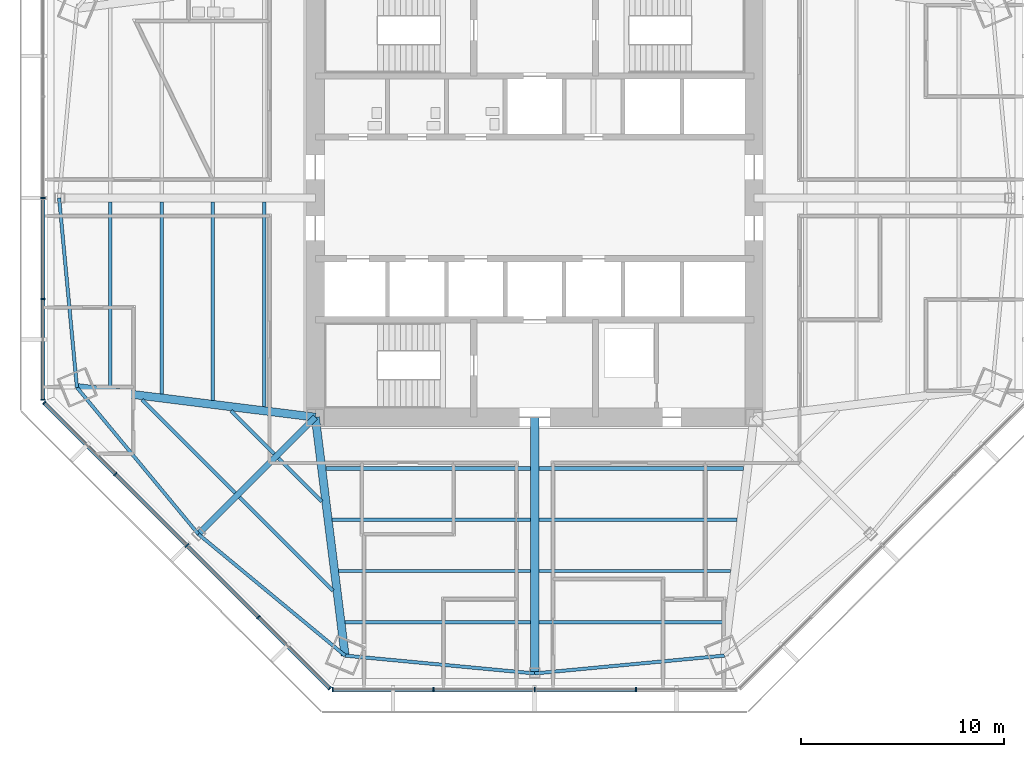
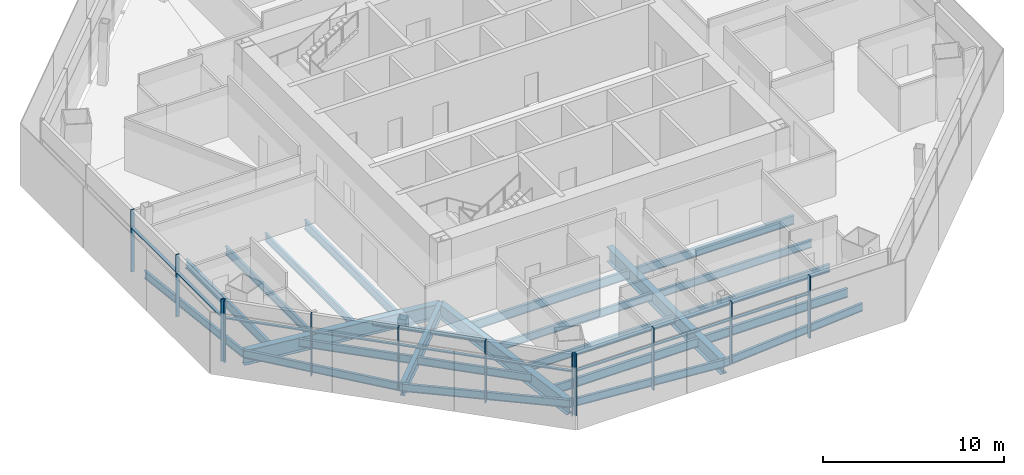
# One storey, part 2 of 14: 25 beams, 21 members, 3 elements without a shape of their own.
"""IFC4 building model written with IfcOpenShell, lengths in metres."""

from ifc_helpers import new_model, si_unit, direction, frame, origin, origin_2d, place, context, subcontext, project, spatial, rectangle, i_section, extrude, source, transform, mapped, material, material_profile, profile_set, type_object, type_shapes, element, aggregate, save


model = new_model("IFC4")

# Units and contexts
model_context = context("Model", 3, precision=1e-05, world=origin(), true_north=direction((0.0, 1.0)))
body_context = subcontext(model_context, "Body", "Model", "MODEL_VIEW")
ifc_project = project(units=[si_unit("LENGTHUNIT", "METRE"), si_unit("AREAUNIT", "SQUARE_METRE"), si_unit("VOLUMEUNIT", "CUBIC_METRE"), si_unit("PLANEANGLEUNIT", "RADIAN"), si_unit("MASSUNIT", "GRAM", prefix="KILO")], contexts=[model_context])

# Site, building, storey
site_placement = place(None, origin())
site = spatial("IfcSite", under=ifc_project, at=site_placement, CompositionType="ELEMENT")
building_placement = place(site_placement, origin())
building = spatial("IfcBuilding", under=site, at=building_placement, Name="Mashrafa Tower", CompositionType="ELEMENT")
storey_placement = place(building_placement, frame((0.0, 0.0, 134.39990234375)))
storey = spatial("IfcBuildingStorey", under=building, at=storey_placement, Name="L30", CompositionType="ELEMENT", Elevation=134.39990234375)

# Beams
ifc_material_1 = material(Name="Steel ASTM A992", Category="steel")
ifc_material_profile_1 = material_profile(ifc_material_1, i_section(OverallWidth=0.164794921875, OverallDepth=0.309814453125, WebThickness=0.005859375, FlangeThickness=0.009765625, FilletRadius=0.007568359375, at=origin_2d()), Name="W12X26")
ifc_profile_set_1 = profile_set([ifc_material_profile_1], Name="Steel ASTM A992")
beam_type_1 = type_object("IfcBeamType", Name="Beam W12X26", PredefinedType="BEAM", material=ifc_profile_set_1)
for number, where, z_axis, x_axis, name in (
    (1, (-12.82275390625, -12.6162109375, -0.31982421875), (-0.707106781187, 0.707106781187, 0.0), (-0.707106781187, -0.707106781187, 0.0), "Floor beam L30 013"),
    (2, (-10.48388671875, -14.955078125, -0.31982421875), (-0.707106781187, 0.707106781187, 0.0), (-0.707106781187, -0.707106781187, 0.0), "Floor beam L30 016"),
):
    element("IfcBeam", number, at=place(storey_placement, frame(where, z_axis=z_axis, x_axis=x_axis)), inside=storey, type_object=beam_type_1, Name=name, PredefinedType="BEAM", context=body_context, shape_type="SweptSolid", body=[
        extrude(i_section(OverallWidth=0.164794921875, OverallDepth=0.309814453125, WebThickness=0.005859375, FlangeThickness=0.009765625, FilletRadius=0.007568359375, at=origin_2d()), origin(), (0.0, 0.0, 1.0), 3.015625),
    ])
ifc_material_2 = material(Name="Steel ASTM A992", Category="steel")
ifc_material_profile_2 = material_profile(ifc_material_2, i_section(OverallWidth=0.1650390625, OverallDepth=0.52587890625, WebThickness=0.0087890625, FlangeThickness=0.011474609375, FilletRadius=0.0126953125, at=origin_2d()), Name="W21X44")
ifc_profile_set_2 = profile_set([ifc_material_profile_2], Name="Steel ASTM A992")
beam_type_2 = type_object("IfcBeamType", Name="Beam W21X44", PredefinedType="BEAM", material=ifc_profile_set_2)
beam_1_placement = place(storey_placement, frame((-18.370361328125, -9.65380859375, -0.427734375), z_axis=(0.0, 1.0, 0.0), x_axis=(-1.0, 0.0, 0.0)))
element("IfcBeam", 3, at=beam_1_placement, inside=storey, type_object=beam_type_2, Name="Floor beam L30 004", PredefinedType="BEAM", context=body_context, shape_type="SweptSolid", body=[
    extrude(i_section(OverallWidth=0.1650390625, OverallDepth=0.52587890625, WebThickness=0.0087890625, FlangeThickness=0.011474609375, FilletRadius=0.0126953125, at=origin_2d()), origin(), (0.0, 0.0, 1.0), 9.453125),
])
beam_2_placement = place(storey_placement, frame((-15.846923828125, -9.968505859375, -0.427734375), z_axis=(0.0, 1.0, 0.0), x_axis=(-1.0, 0.0, 0.0)))
element("IfcBeam", 4, at=beam_2_placement, inside=storey, type_object=beam_type_2, Name="Floor beam L30 006", PredefinedType="BEAM", context=body_context, shape_type="SweptSolid", body=[
    extrude(i_section(OverallWidth=0.1650390625, OverallDepth=0.52587890625, WebThickness=0.0087890625, FlangeThickness=0.011474609375, FilletRadius=0.0126953125, at=origin_2d()), origin(), (0.0, 0.0, 1.0), 9.767822265625),
])
for number, where, z_axis, x_axis, name in (
    (5, (-14.742431640625, -14.535888671875, -0.427734375), (-0.707088011347, 0.707125550528, 0.0), (-0.707125550528, -0.707088011347, 0.0), "Floor beam L30 009"),
    (6, (-9.93701171875, -19.341064453125, -0.427734375), (-0.707125550528, 0.707088011347, 0.0), (-0.707088011347, -0.707125550528, 0.0), "Floor beam L30 019"),
):
    element("IfcBeam", number, at=place(storey_placement, frame(where, z_axis=z_axis, x_axis=x_axis)), inside=storey, type_object=beam_type_2, Name=name, PredefinedType="BEAM", context=body_context, shape_type="SweptSolid", body=[
        extrude(i_section(OverallWidth=0.1650390625, OverallDepth=0.52587890625, WebThickness=0.0087890625, FlangeThickness=0.011474609375, FilletRadius=0.0126953125, at=origin_2d()), origin(), (0.0, 0.0, 1.0), 6.503662109375),
    ])
beam_3_placement = place(storey_placement, frame((-0.20068359375, -18.370361328125, -0.427734375), z_axis=(-1.0, 0.0, 0.0), x_axis=(0.0, -1.0, 0.0)))
element("IfcBeam", 7, at=beam_3_placement, inside=storey, type_object=beam_type_2, Name="Floor beam L30 022", PredefinedType="BEAM", context=body_context, shape_type="SweptSolid", body=[
    extrude(i_section(OverallWidth=0.1650390625, OverallDepth=0.52587890625, WebThickness=0.0087890625, FlangeThickness=0.011474609375, FilletRadius=0.0126953125, at=origin_2d()), origin(), (0.0, 0.0, 1.0), 9.453125),
])
beam_4_placement = place(storey_placement, frame((-0.20068359375, -15.846923828125, -0.427734375), z_axis=(-1.0, 0.0, 0.0), x_axis=(0.0, -1.0, 0.0)))
element("IfcBeam", 8, at=beam_4_placement, inside=storey, type_object=beam_type_2, Name="Floor beam L30 023", PredefinedType="BEAM", context=body_context, shape_type="SweptSolid", body=[
    extrude(i_section(OverallWidth=0.1650390625, OverallDepth=0.52587890625, WebThickness=0.0087890625, FlangeThickness=0.011474609375, FilletRadius=0.0126953125, at=origin_2d()), origin(), (0.0, 0.0, 1.0), 9.767822265625),
])
beam_5_placement = place(storey_placement, frame((9.65380859375, -18.370361328125, -0.427734375), z_axis=(-1.0, 0.0, 0.0), x_axis=(0.0, -1.0, 0.0)))
element("IfcBeam", 9, at=beam_5_placement, inside=storey, type_object=beam_type_2, Name="Floor beam L30 031", PredefinedType="BEAM", context=body_context, shape_type="SweptSolid", body=[
    extrude(i_section(OverallWidth=0.1650390625, OverallDepth=0.52587890625, WebThickness=0.0087890625, FlangeThickness=0.011474609375, FilletRadius=0.0126953125, at=origin_2d()), origin(), (0.0, 0.0, 1.0), 9.453125),
])
beam_6_placement = place(storey_placement, frame((9.968505859375, -15.846923828125, -0.427734375), z_axis=(-1.0, 0.0, 0.0), x_axis=(0.0, -1.0, 0.0)))
element("IfcBeam", 10, at=beam_6_placement, inside=storey, type_object=beam_type_2, Name="Floor beam L30 032", PredefinedType="BEAM", context=body_context, shape_type="SweptSolid", body=[
    extrude(i_section(OverallWidth=0.1650390625, OverallDepth=0.52587890625, WebThickness=0.0087890625, FlangeThickness=0.011474609375, FilletRadius=0.0126953125, at=origin_2d()), origin(), (0.0, 0.0, 1.0), 9.767822265625),
])
beam_7_placement = place(storey_placement, frame((-23.41748046875, 0.0, -0.427734375), z_axis=(0.093650410541, -0.995605142918, 0.0), x_axis=(0.995605142918, 0.093650410541, 0.0)))
element("IfcBeam", 11, at=beam_7_placement, inside=storey, type_object=beam_type_2, Name="Spandrel beam L30 065", PredefinedType="BEAM", context=body_context, shape_type="SweptSolid", body=[
    extrude(i_section(OverallWidth=0.1650390625, OverallDepth=0.52587890625, WebThickness=0.0087890625, FlangeThickness=0.011474609375, FilletRadius=0.0126953125, at=origin_2d()), origin(), (0.0, 0.0, 1.0), 9.377197265625),
])
for number, where, z_axis, x_axis, name in (
    (12, (-22.539306640625, -9.3359375, -0.427734375), (0.637779222021, -0.770219231101, 0.0), (0.770219231101, 0.637779222021, 0.0), "Spandrel beam L30 066"),
    (13, (-16.55859375, -16.55859375, -0.427734375), (0.770219231101, -0.637779222021, 0.0), (0.637779222021, 0.770219231101, 0.0), "Spandrel beam L30 068"),
):
    element("IfcBeam", number, at=place(storey_placement, frame(where, z_axis=z_axis, x_axis=x_axis)), inside=storey, type_object=beam_type_2, Name=name, PredefinedType="BEAM", context=body_context, shape_type="SweptSolid", body=[
        extrude(i_section(OverallWidth=0.1650390625, OverallDepth=0.52587890625, WebThickness=0.0087890625, FlangeThickness=0.011474609375, FilletRadius=0.0126953125, at=origin_2d()), origin(), (0.0, 0.0, 1.0), 9.37744140625),
    ])
for number, where, z_axis, x_axis, name in (
    (14, (-9.3359375, -22.539306640625, -0.427734375), (0.995605142918, -0.093650410541, 0.0), (0.093650410541, 0.995605142918, 0.0), "Spandrel beam L30 070"),
    (15, (0.0, -23.41748046875, -0.427734375), (0.995605142918, 0.093650410541, 0.0), (-0.093650410541, 0.995605142918, 0.0), "Spandrel beam L30 072"),
):
    element("IfcBeam", number, at=place(storey_placement, frame(where, z_axis=z_axis, x_axis=x_axis)), inside=storey, type_object=beam_type_2, Name=name, PredefinedType="BEAM", context=body_context, shape_type="SweptSolid", body=[
        extrude(i_section(OverallWidth=0.1650390625, OverallDepth=0.52587890625, WebThickness=0.0087890625, FlangeThickness=0.011474609375, FilletRadius=0.0126953125, at=origin_2d()), origin(), (0.0, 0.0, 1.0), 9.377197265625),
    ])
ifc_material_3 = material(Name="Steel ASTM A992", Category="steel")
ifc_material_profile_3 = material_profile(ifc_material_3, i_section(OverallWidth=0.177978515625, OverallDepth=0.599365234375, WebThickness=0.010009765625, FlangeThickness=0.012939453125, FilletRadius=0.012939453125, at=origin_2d()), Name="W24X55")
ifc_profile_set_3 = profile_set([ifc_material_profile_3], Name="Steel ASTM A992")
beam_type_3 = type_object("IfcBeamType", Name="Beam W24X55", PredefinedType="BEAM", material=ifc_profile_set_3)
beam_8_placement = place(storey_placement, frame((-20.893798828125, -9.339111328125, -0.464599609375), z_axis=(0.0, 1.0, 0.0), x_axis=(-1.0, 0.0, 0.0)))
element("IfcBeam", 16, at=beam_8_placement, inside=storey, type_object=beam_type_3, Name="Floor beam L30 001", PredefinedType="BEAM", context=body_context, shape_type="SweptSolid", body=[
    extrude(i_section(OverallWidth=0.177978515625, OverallDepth=0.599365234375, WebThickness=0.010009765625, FlangeThickness=0.012939453125, FilletRadius=0.012939453125, at=origin_2d()), origin(), (0.0, 0.0, 1.0), 9.138427734375),
])
beam_9_placement = place(storey_placement, frame((-13.323486328125, -10.283203125, -0.464599609375), z_axis=(0.0, 1.0, 0.0), x_axis=(-1.0, 0.0, 0.0)))
element("IfcBeam", 17, at=beam_9_placement, inside=storey, type_object=beam_type_3, Name="Floor beam L30 011", PredefinedType="BEAM", context=body_context, shape_type="SweptSolid", body=[
    extrude(i_section(OverallWidth=0.177978515625, OverallDepth=0.599365234375, WebThickness=0.010009765625, FlangeThickness=0.012939453125, FilletRadius=0.012939453125, at=origin_2d()), origin(), (0.0, 0.0, 1.0), 10.08251953125),
])
beam_10_placement = place(storey_placement, frame((-0.20068359375, -20.893798828125, -0.464599609375), z_axis=(-1.0, 0.0, 0.0), x_axis=(0.0, -1.0, 0.0)))
element("IfcBeam", 18, at=beam_10_placement, inside=storey, type_object=beam_type_3, Name="Floor beam L30 021", PredefinedType="BEAM", context=body_context, shape_type="SweptSolid", body=[
    extrude(i_section(OverallWidth=0.177978515625, OverallDepth=0.599365234375, WebThickness=0.010009765625, FlangeThickness=0.012939453125, FilletRadius=0.012939453125, at=origin_2d()), origin(), (0.0, 0.0, 1.0), 9.138427734375),
])
beam_11_placement = place(storey_placement, frame((-0.20068359375, -13.323486328125, -0.464599609375), z_axis=(-1.0, 0.0, 0.0), x_axis=(0.0, -1.0, 0.0)))
element("IfcBeam", 19, at=beam_11_placement, inside=storey, type_object=beam_type_3, Name="Floor beam L30 024", PredefinedType="BEAM", context=body_context, shape_type="SweptSolid", body=[
    extrude(i_section(OverallWidth=0.177978515625, OverallDepth=0.599365234375, WebThickness=0.010009765625, FlangeThickness=0.012939453125, FilletRadius=0.012939453125, at=origin_2d()), origin(), (0.0, 0.0, 1.0), 10.08251953125),
])
beam_12_placement = place(storey_placement, frame((9.339111328125, -20.893798828125, -0.464599609375), z_axis=(-1.0, 0.0, 0.0), x_axis=(0.0, -1.0, 0.0)))
element("IfcBeam", 20, at=beam_12_placement, inside=storey, type_object=beam_type_3, Name="Floor beam L30 029", PredefinedType="BEAM", context=body_context, shape_type="SweptSolid", body=[
    extrude(i_section(OverallWidth=0.177978515625, OverallDepth=0.599365234375, WebThickness=0.010009765625, FlangeThickness=0.012939453125, FilletRadius=0.012939453125, at=origin_2d()), origin(), (0.0, 0.0, 1.0), 9.138427734375),
])
beam_13_placement = place(storey_placement, frame((10.283203125, -13.323486328125, -0.464599609375), z_axis=(-1.0, 0.0, 0.0), x_axis=(0.0, -1.0, 0.0)))
element("IfcBeam", 21, at=beam_13_placement, inside=storey, type_object=beam_type_3, Name="Floor beam L30 034", PredefinedType="BEAM", context=body_context, shape_type="SweptSolid", body=[
    extrude(i_section(OverallWidth=0.177978515625, OverallDepth=0.599365234375, WebThickness=0.010009765625, FlangeThickness=0.012939453125, FilletRadius=0.012939453125, at=origin_2d()), origin(), (0.0, 0.0, 1.0), 10.08251953125),
])
ifc_material_4 = material(Name="Steel ASTM A992", Category="steel")
ifc_material_profile_4 = material_profile(ifc_material_4, i_section(OverallWidth=0.2919921875, OverallDepth=0.8408203125, WebThickness=0.0146484375, FlangeThickness=0.021728515625, FilletRadius=0.017333984375, at=origin_2d()), Name="W33X130")
ifc_profile_set_4 = profile_set([ifc_material_profile_4], Name="Steel ASTM A992")
beam_type_4 = type_object("IfcBeamType", Name="Beam W33X130", PredefinedType="BEAM", material=ifc_profile_set_4)
beam_14_placement = place(storey_placement, frame((-10.800048828125, -10.800048828125, -0.585205078125), z_axis=(-0.707106781187, -0.707106781187, 0.0), x_axis=(0.707106781187, -0.707106781187, 0.0)))
element("IfcBeam", 22, at=beam_14_placement, inside=storey, type_object=beam_type_4, Name="Radial girder L30 050", PredefinedType="BEAM", context=body_context, shape_type="SweptSolid", body=[
    extrude(i_section(OverallWidth=0.2919921875, OverallDepth=0.8408203125, WebThickness=0.0146484375, FlangeThickness=0.021728515625, FilletRadius=0.017333984375, at=origin_2d()), origin(), (0.0, 0.0, 1.0), 8.143798828125),
])
ifc_material_5 = material(Name="Steel ASTM A992", Category="steel")
ifc_material_profile_5 = material_profile(ifc_material_5, i_section(OverallWidth=0.4013671875, OverallDepth=0.98291015625, WebThickness=0.0166015625, FlangeThickness=0.027099609375, FilletRadius=0.0126953125, at=origin_2d()), Name="W40X199")
ifc_profile_set_5 = profile_set([ifc_material_profile_5], Name="Steel ASTM A992")
beam_type_5 = type_object("IfcBeamType", Name="Beam W40X199", PredefinedType="BEAM", material=ifc_profile_set_5)
for number, where, z_axis, x_axis, name in (
    (23, (-10.800048828125, -10.800048828125, -0.656494140625), (-0.992312128057, 0.123760415771, 0.0), (-0.123760415771, -0.992312128057, 0.0), "Radial girder L30 049"),
    (24, (-10.800048828125, -10.800048828125, -0.656494140625), (0.123760415771, -0.992312128057, 0.0), (0.992312128057, 0.123760415771, 0.0), "Radial girder L30 051"),
):
    element("IfcBeam", number, at=place(storey_placement, frame(where, z_axis=z_axis, x_axis=x_axis)), inside=storey, type_object=beam_type_5, Name=name, PredefinedType="BEAM", context=body_context, shape_type="SweptSolid", body=[
        extrude(i_section(OverallWidth=0.4013671875, OverallDepth=0.98291015625, WebThickness=0.0166015625, FlangeThickness=0.027099609375, FilletRadius=0.0126953125, at=origin_2d()), origin(), (0.0, 0.0, 1.0), 11.830322265625),
    ])
ifc_material_6 = material(Name="Steel ASTM A992", Category="steel")
ifc_material_profile_6 = material_profile(ifc_material_6, i_section(OverallWidth=0.4013671875, OverallDepth=1.010986328125, WebThickness=0.023681640625, FlangeThickness=0.0419921875, FilletRadius=0.02001953125, at=origin_2d()), Name="W40X297")
ifc_profile_set_6 = profile_set([ifc_material_profile_6], Name="Steel ASTM A992")
beam_type_6 = type_object("IfcBeamType", Name="Beam W40X297", PredefinedType="BEAM", material=ifc_profile_set_6)
beam_15_placement = place(storey_placement, frame((0.0, -10.800048828125, -0.67041015625), z_axis=(0.0, -1.0, 0.0), x_axis=(1.0, 0.0, 0.0)))
element("IfcBeam", 25, at=beam_15_placement, inside=storey, type_object=beam_type_6, Name="Radial girder L30 056", PredefinedType="BEAM", context=body_context, shape_type="SweptSolid", body=[
    extrude(i_section(OverallWidth=0.4013671875, OverallDepth=1.010986328125, WebThickness=0.023681640625, FlangeThickness=0.0419921875, FilletRadius=0.02001953125, at=origin_2d()), origin(), (0.0, 0.0, 1.0), 12.617431640625),
])

# Curtain wall, members
ifc_material_7 = material(Name="Unitised aluminium curtain wall", Category="aluminium")
curtain_wall_type = type_object("IfcCurtainWallType", Name="Office curtain wall, zone 2 CW-B 225 deep", PredefinedType="NOTDEFINED", material=ifc_material_7)
curtain_wall_1_placement = place(storey_placement, origin())
curtain_wall_1 = element("IfcCurtainWall", 26, at=curtain_wall_1_placement, inside=storey, type_object=curtain_wall_type, Name="Office curtain wall, zone 2 L30 west", PredefinedType="NOTDEFINED")
ifc_material_8 = material(Name="Extruded aluminium mullion", Category="aluminium")
ifc_material_profile_7 = material_profile(ifc_material_8, rectangle(XDim=0.22509765625, YDim=0.06494140625, at=origin_2d()), Name="Mullion 65x225")
ifc_profile_set_7 = profile_set([ifc_material_profile_7], Name="Extruded aluminium mullion")
member_type_1 = type_object("IfcMemberType", Name="Mullion CW-B 65 x 225", PredefinedType="MULLION", material=ifc_profile_set_7)
shared_shape_1 = source(origin(), body_context, "Body", "SweptSolid", [
    extrude(rectangle(XDim=0.22509765625, YDim=0.06494140625, at=origin_2d()), origin(), (0.0, 0.0, 1.0), 4.2001953125),
])
type_shapes(member_type_1, [shared_shape_1])
member_1_placement = place(storey_placement, frame((-24.212646484375, 0.0, 0.0), z_axis=(0.0, 0.0, 1.0), x_axis=(1.0, 0.0, 0.0)))
member_1 = element("IfcMember", 27, at=member_1_placement, type_object=member_type_1, Name="CW-B mullion 3", PredefinedType="MULLION", context=body_context, shape_type="MappedRepresentation", body=[
    mapped(shared_shape_1, transform((0.0, 0.0, 0.0))),
])
member_2_placement = place(storey_placement, frame((-24.212646484375, -4.986328125, 0.0), z_axis=(0.0, 0.0, 1.0), x_axis=(1.0, 0.0, 0.0)))
member_2 = element("IfcMember", 28, at=member_2_placement, type_object=member_type_1, Name="CW-B mullion 4", PredefinedType="MULLION", context=body_context, shape_type="MappedRepresentation", body=[
    mapped(shared_shape_1, transform((0.0, 0.0, 0.0))),
])
member_3_placement = place(storey_placement, frame((-24.212646484375, -9.940185546875, 0.0), z_axis=(0.0, 0.0, 1.0), x_axis=(1.0, 0.0, 0.0)))
member_3 = element("IfcMember", 29, at=member_3_placement, type_object=member_type_1, Name="CW-B mullion 5", PredefinedType="MULLION", context=body_context, shape_type="MappedRepresentation", body=[
    mapped(shared_shape_1, transform((0.0, 0.0, 0.0))),
])

curtain_wall_2_placement = place(storey_placement, origin())
curtain_wall_2 = element("IfcCurtainWall", 30, at=curtain_wall_2_placement, inside=storey, type_object=curtain_wall_type, Name="Office curtain wall, zone 2 L30 south-west", PredefinedType="NOTDEFINED")
member_4_placement = place(storey_placement, frame((-24.149658203125, -10.09228515625, 0.0), z_axis=(0.0, 0.0, 1.0), x_axis=(0.707106781187, 0.707106781187, 0.0)))
member_4 = element("IfcMember", 31, at=member_4_placement, type_object=member_type_1, Name="CW-B mullion 1", PredefinedType="MULLION", context=body_context, shape_type="MappedRepresentation", body=[
    mapped(shared_shape_1, transform((0.0, 0.0, 0.0))),
])
member_5_placement = place(storey_placement, frame((-20.646728515625, -13.59521484375, 0.0), z_axis=(0.0, 0.0, 1.0), x_axis=(0.707106781187, 0.707106781187, 0.0)))
member_5 = element("IfcMember", 32, at=member_5_placement, type_object=member_type_1, Name="CW-B mullion 2", PredefinedType="MULLION", context=body_context, shape_type="MappedRepresentation", body=[
    mapped(shared_shape_1, transform((0.0, 0.0, 0.0))),
])
member_6_placement = place(storey_placement, frame((-17.12109375, -17.12109375, 0.0), z_axis=(0.0, 0.0, 1.0), x_axis=(0.707106781187, 0.707106781187, 0.0)))
member_6 = element("IfcMember", 33, at=member_6_placement, type_object=member_type_1, Name="CW-B mullion 3", PredefinedType="MULLION", context=body_context, shape_type="MappedRepresentation", body=[
    mapped(shared_shape_1, transform((0.0, 0.0, 0.0))),
])
member_7_placement = place(storey_placement, frame((-13.59521484375, -20.646728515625, 0.0), z_axis=(0.0, 0.0, 1.0), x_axis=(0.707106781187, 0.707106781187, 0.0)))
member_7 = element("IfcMember", 34, at=member_7_placement, type_object=member_type_1, Name="CW-B mullion 4", PredefinedType="MULLION", context=body_context, shape_type="MappedRepresentation", body=[
    mapped(shared_shape_1, transform((0.0, 0.0, 0.0))),
])
member_8_placement = place(storey_placement, frame((-10.09228515625, -24.149658203125, 0.0), z_axis=(0.0, 0.0, 1.0), x_axis=(0.707106781187, 0.707106781187, 0.0)))
member_8 = element("IfcMember", 35, at=member_8_placement, type_object=member_type_1, Name="CW-B mullion 5", PredefinedType="MULLION", context=body_context, shape_type="MappedRepresentation", body=[
    mapped(shared_shape_1, transform((0.0, 0.0, 0.0))),
])

curtain_wall_3_placement = place(storey_placement, origin())
curtain_wall_3 = element("IfcCurtainWall", 36, at=curtain_wall_3_placement, inside=storey, type_object=curtain_wall_type, Name="Office curtain wall, zone 2 L30 south", PredefinedType="NOTDEFINED")
member_9_placement = place(storey_placement, frame((-9.940185546875, -24.212646484375, 0.0), z_axis=(0.0, 0.0, 1.0), x_axis=(0.0, 1.0, 0.0)))
member_9 = element("IfcMember", 37, at=member_9_placement, type_object=member_type_1, Name="CW-B mullion 1", PredefinedType="MULLION", context=body_context, shape_type="MappedRepresentation", body=[
    mapped(shared_shape_1, transform((0.0, 0.0, 0.0))),
])
member_10_placement = place(storey_placement, frame((-4.986328125, -24.212646484375, 0.0), z_axis=(0.0, 0.0, 1.0), x_axis=(0.0, 1.0, 0.0)))
member_10 = element("IfcMember", 38, at=member_10_placement, type_object=member_type_1, Name="CW-B mullion 2", PredefinedType="MULLION", context=body_context, shape_type="MappedRepresentation", body=[
    mapped(shared_shape_1, transform((0.0, 0.0, 0.0))),
])
member_11_placement = place(storey_placement, frame((0.0, -24.212646484375, 0.0), z_axis=(0.0, 0.0, 1.0), x_axis=(0.0, 1.0, 0.0)))
member_11 = element("IfcMember", 39, at=member_11_placement, type_object=member_type_1, Name="CW-B mullion 3", PredefinedType="MULLION", context=body_context, shape_type="MappedRepresentation", body=[
    mapped(shared_shape_1, transform((0.0, 0.0, 0.0))),
])
member_12_placement = place(storey_placement, frame((4.986328125, -24.212646484375, 0.0), z_axis=(0.0, 0.0, 1.0), x_axis=(0.0, 1.0, 0.0)))
member_12 = element("IfcMember", 40, at=member_12_placement, type_object=member_type_1, Name="CW-B mullion 4", PredefinedType="MULLION", context=body_context, shape_type="MappedRepresentation", body=[
    mapped(shared_shape_1, transform((0.0, 0.0, 0.0))),
])

# Member
ifc_material_9 = material(Name="Extruded aluminium transom", Category="aluminium")
ifc_material_profile_8 = material_profile(ifc_material_9, rectangle(XDim=0.179931640625, YDim=0.080078125, at=origin_2d()), Name="Transom 80x180")
ifc_profile_set_8 = profile_set([ifc_material_profile_8], Name="Extruded aluminium transom")
member_type_2 = type_object("IfcMemberType", Name="Transom CW-B 80 x 180", PredefinedType="MULLION", material=ifc_profile_set_8)
shared_shape_2 = source(origin(), body_context, "Body", "SweptSolid", [
    extrude(rectangle(XDim=0.179931640625, YDim=0.080078125, at=origin_2d()), origin(), (0.0, 0.0, 1.0), 4.888916015625),
])
member_13_placement = place(storey_placement, frame((-24.212646484375, -5.018798828125, 3.0), z_axis=(0.0, -1.0, 0.0), x_axis=(1.0, 0.0, 0.0)))
member_13 = element("IfcMember", 41, at=member_13_placement, type_object=member_type_2, Name="CW-B transom 4", PredefinedType="MULLION", context=body_context, shape_type="MappedRepresentation", body=[
    mapped(shared_shape_2, transform((0.0, 0.0, 0.0))),
])

member_14_placement = place(storey_placement, frame((-9.90771484375, -24.212646484375, 3.0), z_axis=(1.0, 0.0, 0.0), x_axis=(0.0, 1.0, 0.0)))
member_14 = element("IfcMember", 42, at=member_14_placement, type_object=member_type_2, Name="CW-B transom 1", PredefinedType="MULLION", context=body_context, shape_type="MappedRepresentation", body=[
    mapped(shared_shape_2, transform((0.0, 0.0, 0.0))),
])

shared_shape_3 = source(origin(), body_context, "Body", "SweptSolid", [
    extrude(rectangle(XDim=0.179931640625, YDim=0.080078125, at=origin_2d()), origin(), (0.0, 0.0, 1.0), 4.92138671875),
])
member_15_placement = place(storey_placement, frame((-24.212646484375, -0.032470703125, 3.0), z_axis=(0.0, -1.0, 0.0), x_axis=(1.0, 0.0, 0.0)))
member_15 = element("IfcMember", 43, at=member_15_placement, type_object=member_type_2, Name="CW-B transom 3", PredefinedType="MULLION", context=body_context, shape_type="MappedRepresentation", body=[
    mapped(shared_shape_3, transform((0.0, 0.0, 0.0))),
])

aggregate(curtain_wall_1, [member_1, member_2, member_3, member_15, member_13])

member_16_placement = place(storey_placement, frame((-4.953857421875, -24.212646484375, 3.0), z_axis=(1.0, 0.0, 0.0), x_axis=(0.0, 1.0, 0.0)))
member_16 = element("IfcMember", 44, at=member_16_placement, type_object=member_type_2, Name="CW-B transom 2", PredefinedType="MULLION", context=body_context, shape_type="MappedRepresentation", body=[
    mapped(shared_shape_3, transform((0.0, 0.0, 0.0))),
])

member_17_placement = place(storey_placement, frame((0.032470703125, -24.212646484375, 3.0), z_axis=(1.0, 0.0, 0.0), x_axis=(0.0, 1.0, 0.0)))
member_17 = element("IfcMember", 45, at=member_17_placement, type_object=member_type_2, Name="CW-B transom 3", PredefinedType="MULLION", context=body_context, shape_type="MappedRepresentation", body=[
    mapped(shared_shape_3, transform((0.0, 0.0, 0.0))),
])

aggregate(curtain_wall_3, [member_9, member_10, member_11, member_12, member_14, member_16, member_17])

shared_shape_4 = source(origin(), body_context, "Body", "SweptSolid", [
    extrude(rectangle(XDim=0.179931640625, YDim=0.080078125, at=origin_2d()), origin(), (0.0, 0.0, 1.0), 4.888671875),
])
member_18_placement = place(storey_placement, frame((-24.126708984375, -10.115234375, 3.0), z_axis=(0.707106781187, -0.707106781187, 0.0), x_axis=(0.707106781187, 0.707106781187, 0.0)))
member_18 = element("IfcMember", 46, at=member_18_placement, type_object=member_type_2, Name="CW-B transom 1", PredefinedType="MULLION", context=body_context, shape_type="MappedRepresentation", body=[
    mapped(shared_shape_4, transform((0.0, 0.0, 0.0))),
])

member_19_placement = place(storey_placement, frame((-13.572021484375, -20.669921875, 3.0), z_axis=(0.707106781187, -0.707106781187, 0.0), x_axis=(0.707106781187, 0.707106781187, 0.0)))
member_19 = element("IfcMember", 47, at=member_19_placement, type_object=member_type_2, Name="CW-B transom 4", PredefinedType="MULLION", context=body_context, shape_type="MappedRepresentation", body=[
    mapped(shared_shape_4, transform((0.0, 0.0, 0.0))),
])

shared_shape_5 = source(origin(), body_context, "Body", "SweptSolid", [
    extrude(rectangle(XDim=0.179931640625, YDim=0.080078125, at=origin_2d()), origin(), (0.0, 0.0, 1.0), 4.921142578125),
])
type_shapes(member_type_2, [shared_shape_2, shared_shape_3, shared_shape_4, shared_shape_5])
member_20_placement = place(storey_placement, frame((-20.623779296875, -13.6181640625, 3.0), z_axis=(0.707106781187, -0.707106781187, 0.0), x_axis=(0.707106781187, 0.707106781187, 0.0)))
member_20 = element("IfcMember", 48, at=member_20_placement, type_object=member_type_2, Name="CW-B transom 2", PredefinedType="MULLION", context=body_context, shape_type="MappedRepresentation", body=[
    mapped(shared_shape_5, transform((0.0, 0.0, 0.0))),
])

member_21_placement = place(storey_placement, frame((-17.097900390625, -17.14404296875, 3.0), z_axis=(0.707106781187, -0.707106781187, 0.0), x_axis=(0.707106781187, 0.707106781187, 0.0)))
member_21 = element("IfcMember", 49, at=member_21_placement, type_object=member_type_2, Name="CW-B transom 3", PredefinedType="MULLION", context=body_context, shape_type="MappedRepresentation", body=[
    mapped(shared_shape_5, transform((0.0, 0.0, 0.0))),
])

aggregate(curtain_wall_2, [member_4, member_5, member_6, member_7, member_8, member_18, member_20, member_21, member_19])

save(model, "model.ifc")
